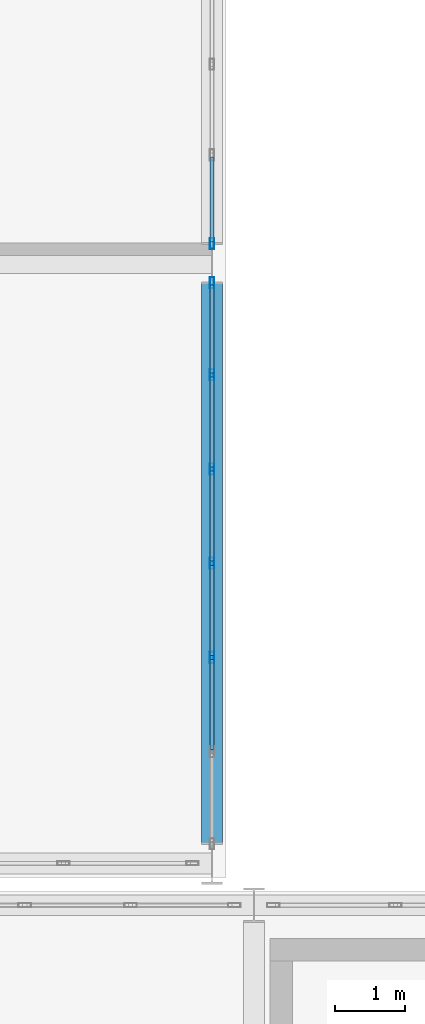
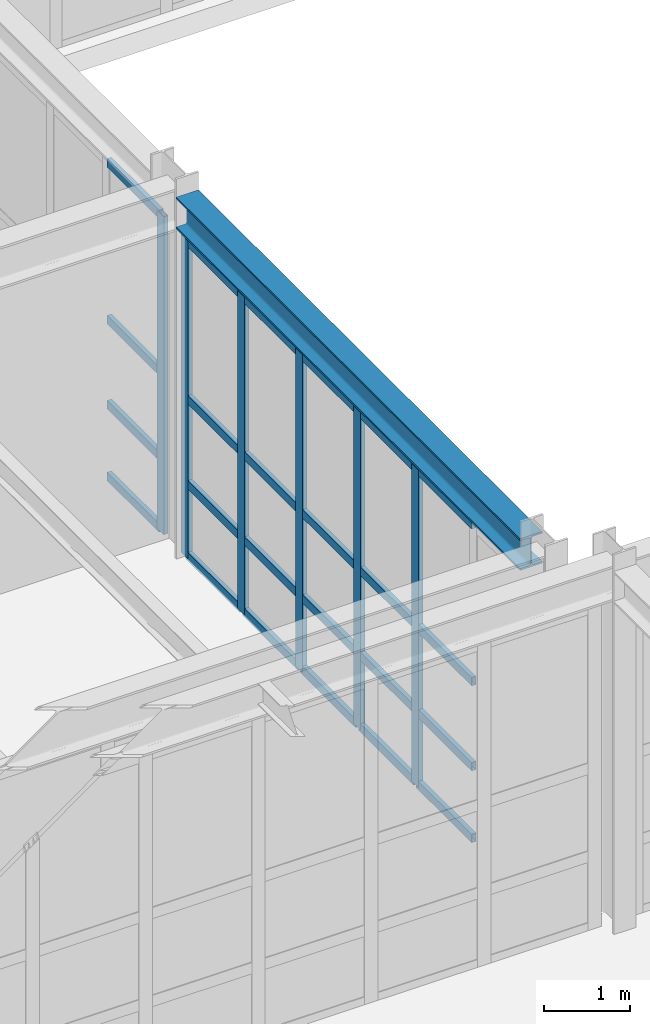
# One storey, part 100 of 210: 30 members, 1 beam, 2 elements without a shape of their own.
"""IFC4 building model written with IfcOpenShell, lengths in metres."""

from ifc_helpers import new_model, si_unit, direction, frame, origin, origin_2d, place, context, subcontext, project, spatial, hollow_rectangle, i_section, extrude, material, material_profile, profile_set, type_object, element, aggregate, save


model = new_model("IFC4")

# Units and contexts
model_context = context("Model", 3, precision=1e-05, world=origin(), true_north=direction((0.0, 1.0)))
body_context = subcontext(model_context, "Body", "Model", "MODEL_VIEW")
ifc_project = project(units=[si_unit("LENGTHUNIT", "METRE"), si_unit("AREAUNIT", "SQUARE_METRE"), si_unit("VOLUMEUNIT", "CUBIC_METRE"), si_unit("PLANEANGLEUNIT", "RADIAN"), si_unit("MASSUNIT", "GRAM", prefix="KILO")], contexts=[model_context])

# Site, building, storey
site_placement = place(None, origin())
site = spatial("IfcSite", under=ifc_project, at=site_placement, CompositionType="ELEMENT")
building_placement = place(site_placement, origin())
building = spatial("IfcBuilding", under=site, at=building_placement, Name="Kaldris Quays Convention Centre", CompositionType="ELEMENT")
storey_placement = place(building_placement, frame((0.0, 0.0, 6.0)))
storey = spatial("IfcBuildingStorey", under=building, at=storey_placement, Name="L01", CompositionType="ELEMENT", Elevation=6.0)

# Curtain wall, members
ifc_material_1 = material(Name="Anodized aluminium AW-6060 and triple glazing", Category="aluminium")
curtain_wall_type = type_object("IfcCurtainWallType", Name="UNITISED CURTAIN WALL CW04", PredefinedType="NOTDEFINED", material=ifc_material_1)
curtain_wall_1_placement = place(storey_placement, origin())
curtain_wall_1 = element("IfcCurtainWall", 1, at=curtain_wall_1_placement, inside=storey, type_object=curtain_wall_type, Name="L01 Unitised Curtain Wall CW04 138", PredefinedType="NOTDEFINED")
ifc_material_2 = material(Name="Anodized aluminium AW-6060", Category="aluminium")
ifc_material_profile_1 = material_profile(ifc_material_2, hollow_rectangle(XDim=0.06005859375, YDim=0.159912109375, WallThickness=0.00390625, at=origin_2d()), Name="RHS 160x60x4")
ifc_profile_set_1 = profile_set([ifc_material_profile_1], Name="Anodized aluminium AW-6060")
member_type_1 = type_object("IfcMemberType", Name="CURTAIN MULLION CWM1", PredefinedType="MULLION", material=ifc_profile_set_1)
member_1_placement = place(storey_placement, frame((164.0, 40.949951171875, 0.0), z_axis=(0.0, 0.0, 1.0), x_axis=(-1.0, 0.0, 0.0)))
member_1 = element("IfcMember", 2, at=member_1_placement, type_object=member_type_1, Name="CW04 mullion 3", PredefinedType="MULLION", context=body_context, shape_type="SweptSolid", body=[
    extrude(hollow_rectangle(XDim=0.06005859375, YDim=0.159912109375, WallThickness=0.00390625, at=origin_2d()), origin(), (0.0, 0.0, 1.0), 4.51806640625),
])
member_2_placement = place(storey_placement, frame((164.0, 42.300048828125, 0.0), z_axis=(0.0, 0.0, 1.0), x_axis=(-1.0, 0.0, 0.0)))
member_2 = element("IfcMember", 3, at=member_2_placement, type_object=member_type_1, Name="CW04 mullion 4", PredefinedType="MULLION", context=body_context, shape_type="SweptSolid", body=[
    extrude(hollow_rectangle(XDim=0.06005859375, YDim=0.159912109375, WallThickness=0.00390625, at=origin_2d()), origin(), (0.0, 0.0, 1.0), 4.51806640625),
])
member_3_placement = place(storey_placement, frame((164.0, 43.64990234375, 0.0), z_axis=(0.0, 0.0, 1.0), x_axis=(-1.0, 0.0, 0.0)))
member_3 = element("IfcMember", 4, at=member_3_placement, type_object=member_type_1, Name="CW04 mullion 5", PredefinedType="MULLION", context=body_context, shape_type="SweptSolid", body=[
    extrude(hollow_rectangle(XDim=0.06005859375, YDim=0.159912109375, WallThickness=0.00390625, at=origin_2d()), origin(), (0.0, 0.0, 1.0), 4.51806640625),
])
member_4_placement = place(storey_placement, frame((164.0, 45.0, 0.0), z_axis=(0.0, 0.0, 1.0), x_axis=(-1.0, 0.0, 0.0)))
member_4 = element("IfcMember", 5, at=member_4_placement, type_object=member_type_1, Name="CW04 mullion 6", PredefinedType="MULLION", context=body_context, shape_type="SweptSolid", body=[
    extrude(hollow_rectangle(XDim=0.06005859375, YDim=0.159912109375, WallThickness=0.00390625, at=origin_2d()), origin(), (0.0, 0.0, 1.0), 4.51806640625),
])
member_5_placement = place(storey_placement, frame((164.0, 46.320068359375, 0.0), z_axis=(0.0, 0.0, 1.0), x_axis=(-1.0, 0.0, 0.0)))
member_5 = element("IfcMember", 6, at=member_5_placement, type_object=member_type_1, Name="CW04 mullion 7", PredefinedType="MULLION", context=body_context, shape_type="SweptSolid", body=[
    extrude(hollow_rectangle(XDim=0.06005859375, YDim=0.159912109375, WallThickness=0.00390625, at=origin_2d()), origin(), (0.0, 0.0, 1.0), 4.51806640625),
])

# Curtain wall, member
curtain_wall_2_placement = place(storey_placement, origin())
curtain_wall_2 = element("IfcCurtainWall", 7, at=curtain_wall_2_placement, inside=storey, type_object=curtain_wall_type, Name="L01 Unitised Curtain Wall CW04 139", PredefinedType="NOTDEFINED")
member_6_placement = place(storey_placement, frame((164.0, 46.8798828125, 0.0), z_axis=(0.0, 0.0, 1.0), x_axis=(-1.0, 0.0, 0.0)))
member_6 = element("IfcMember", 8, at=member_6_placement, type_object=member_type_1, Name="CW04 mullion 1", PredefinedType="MULLION", context=body_context, shape_type="SweptSolid", body=[
    extrude(hollow_rectangle(XDim=0.06005859375, YDim=0.159912109375, WallThickness=0.00390625, at=origin_2d()), origin(), (0.0, 0.0, 1.0), 4.51806640625),
])

# Member
ifc_material_profile_2 = material_profile(ifc_material_2, hollow_rectangle(XDim=0.06005859375, YDim=0.1201171875, WallThickness=0.00390625, at=origin_2d()), Name="RHS 120x60x4")
ifc_profile_set_2 = profile_set([ifc_material_profile_2], Name="Anodized aluminium AW-6060")
member_type_2 = type_object("IfcMemberType", Name="CURTAIN TRANSOM CWT1", PredefinedType="USERDEFINED", material=ifc_profile_set_2)
member_7_placement = place(storey_placement, frame((164.0, 39.6298828125, 0.030029296875), z_axis=(0.0, 1.0, 0.0), x_axis=(-1.0, 0.0, 0.0)))
member_7 = element("IfcMember", 9, at=member_7_placement, type_object=member_type_2, Name="CW04 transom 2.1", ObjectType="TRANSOM", PredefinedType="USERDEFINED", context=body_context, shape_type="SweptSolid", body=[
    extrude(hollow_rectangle(XDim=0.06005859375, YDim=0.1201171875, WallThickness=0.00390625, at=origin_2d()), origin(), (0.0, 0.0, 1.0), 1.2900390625),
])

member_8_placement = place(storey_placement, frame((164.0, 39.6298828125, 1.050048828125), z_axis=(0.0, 1.0, 0.0), x_axis=(-1.0, 0.0, 0.0)))
member_8 = element("IfcMember", 10, at=member_8_placement, type_object=member_type_2, Name="CW04 transom 2.2", ObjectType="TRANSOM", PredefinedType="USERDEFINED", context=body_context, shape_type="SweptSolid", body=[
    extrude(hollow_rectangle(XDim=0.06005859375, YDim=0.1201171875, WallThickness=0.00390625, at=origin_2d()), origin(), (0.0, 0.0, 1.0), 1.2900390625),
])

member_9_placement = place(storey_placement, frame((164.0, 39.6298828125, 2.259033203125), z_axis=(0.0, 1.0, 0.0), x_axis=(-1.0, 0.0, 0.0)))
member_9 = element("IfcMember", 11, at=member_9_placement, type_object=member_type_2, Name="CW04 transom 2.3", ObjectType="TRANSOM", PredefinedType="USERDEFINED", context=body_context, shape_type="SweptSolid", body=[
    extrude(hollow_rectangle(XDim=0.06005859375, YDim=0.1201171875, WallThickness=0.00390625, at=origin_2d()), origin(), (0.0, 0.0, 1.0), 1.2900390625),
])

member_10_placement = place(storey_placement, frame((164.0, 39.6298828125, 4.488037109375), z_axis=(0.0, 1.0, 0.0), x_axis=(-1.0, 0.0, 0.0)))
member_10 = element("IfcMember", 12, at=member_10_placement, type_object=member_type_2, Name="CW04 transom 2.4", ObjectType="TRANSOM", PredefinedType="USERDEFINED", context=body_context, shape_type="SweptSolid", body=[
    extrude(hollow_rectangle(XDim=0.06005859375, YDim=0.1201171875, WallThickness=0.00390625, at=origin_2d()), origin(), (0.0, 0.0, 1.0), 1.2900390625),
])

member_11_placement = place(storey_placement, frame((164.0, 40.97998046875, 0.030029296875), z_axis=(0.0, 1.0, 0.0), x_axis=(-1.0, 0.0, 0.0)))
member_11 = element("IfcMember", 13, at=member_11_placement, type_object=member_type_2, Name="CW04 transom 3.1", ObjectType="TRANSOM", PredefinedType="USERDEFINED", context=body_context, shape_type="SweptSolid", body=[
    extrude(hollow_rectangle(XDim=0.06005859375, YDim=0.1201171875, WallThickness=0.00390625, at=origin_2d()), origin(), (0.0, 0.0, 1.0), 1.2900390625),
])

member_12_placement = place(storey_placement, frame((164.0, 40.97998046875, 1.050048828125), z_axis=(0.0, 1.0, 0.0), x_axis=(-1.0, 0.0, 0.0)))
member_12 = element("IfcMember", 14, at=member_12_placement, type_object=member_type_2, Name="CW04 transom 3.2", ObjectType="TRANSOM", PredefinedType="USERDEFINED", context=body_context, shape_type="SweptSolid", body=[
    extrude(hollow_rectangle(XDim=0.06005859375, YDim=0.1201171875, WallThickness=0.00390625, at=origin_2d()), origin(), (0.0, 0.0, 1.0), 1.2900390625),
])

member_13_placement = place(storey_placement, frame((164.0, 40.97998046875, 2.259033203125), z_axis=(0.0, 1.0, 0.0), x_axis=(-1.0, 0.0, 0.0)))
member_13 = element("IfcMember", 15, at=member_13_placement, type_object=member_type_2, Name="CW04 transom 3.3", ObjectType="TRANSOM", PredefinedType="USERDEFINED", context=body_context, shape_type="SweptSolid", body=[
    extrude(hollow_rectangle(XDim=0.06005859375, YDim=0.1201171875, WallThickness=0.00390625, at=origin_2d()), origin(), (0.0, 0.0, 1.0), 1.2900390625),
])

member_14_placement = place(storey_placement, frame((164.0, 40.97998046875, 4.488037109375), z_axis=(0.0, 1.0, 0.0), x_axis=(-1.0, 0.0, 0.0)))
member_14 = element("IfcMember", 16, at=member_14_placement, type_object=member_type_2, Name="CW04 transom 3.4", ObjectType="TRANSOM", PredefinedType="USERDEFINED", context=body_context, shape_type="SweptSolid", body=[
    extrude(hollow_rectangle(XDim=0.06005859375, YDim=0.1201171875, WallThickness=0.00390625, at=origin_2d()), origin(), (0.0, 0.0, 1.0), 1.2900390625),
])

member_15_placement = place(storey_placement, frame((164.0, 42.330078125, 0.030029296875), z_axis=(0.0, 1.0, 0.0), x_axis=(-1.0, 0.0, 0.0)))
member_15 = element("IfcMember", 17, at=member_15_placement, type_object=member_type_2, Name="CW04 transom 4.1", ObjectType="TRANSOM", PredefinedType="USERDEFINED", context=body_context, shape_type="SweptSolid", body=[
    extrude(hollow_rectangle(XDim=0.06005859375, YDim=0.1201171875, WallThickness=0.00390625, at=origin_2d()), origin(), (0.0, 0.0, 1.0), 1.2900390625),
])

member_16_placement = place(storey_placement, frame((164.0, 42.330078125, 1.050048828125), z_axis=(0.0, 1.0, 0.0), x_axis=(-1.0, 0.0, 0.0)))
member_16 = element("IfcMember", 18, at=member_16_placement, type_object=member_type_2, Name="CW04 transom 4.2", ObjectType="TRANSOM", PredefinedType="USERDEFINED", context=body_context, shape_type="SweptSolid", body=[
    extrude(hollow_rectangle(XDim=0.06005859375, YDim=0.1201171875, WallThickness=0.00390625, at=origin_2d()), origin(), (0.0, 0.0, 1.0), 1.2900390625),
])

member_17_placement = place(storey_placement, frame((164.0, 42.330078125, 2.259033203125), z_axis=(0.0, 1.0, 0.0), x_axis=(-1.0, 0.0, 0.0)))
member_17 = element("IfcMember", 19, at=member_17_placement, type_object=member_type_2, Name="CW04 transom 4.3", ObjectType="TRANSOM", PredefinedType="USERDEFINED", context=body_context, shape_type="SweptSolid", body=[
    extrude(hollow_rectangle(XDim=0.06005859375, YDim=0.1201171875, WallThickness=0.00390625, at=origin_2d()), origin(), (0.0, 0.0, 1.0), 1.2900390625),
])

member_18_placement = place(storey_placement, frame((164.0, 42.330078125, 4.488037109375), z_axis=(0.0, 1.0, 0.0), x_axis=(-1.0, 0.0, 0.0)))
member_18 = element("IfcMember", 20, at=member_18_placement, type_object=member_type_2, Name="CW04 transom 4.4", ObjectType="TRANSOM", PredefinedType="USERDEFINED", context=body_context, shape_type="SweptSolid", body=[
    extrude(hollow_rectangle(XDim=0.06005859375, YDim=0.1201171875, WallThickness=0.00390625, at=origin_2d()), origin(), (0.0, 0.0, 1.0), 1.2900390625),
])

member_19_placement = place(storey_placement, frame((164.0, 43.679931640625, 0.030029296875), z_axis=(0.0, 1.0, 0.0), x_axis=(-1.0, 0.0, 0.0)))
member_19 = element("IfcMember", 21, at=member_19_placement, type_object=member_type_2, Name="CW04 transom 5.1", ObjectType="TRANSOM", PredefinedType="USERDEFINED", context=body_context, shape_type="SweptSolid", body=[
    extrude(hollow_rectangle(XDim=0.06005859375, YDim=0.1201171875, WallThickness=0.00390625, at=origin_2d()), origin(), (0.0, 0.0, 1.0), 1.2900390625),
])

member_20_placement = place(storey_placement, frame((164.0, 43.679931640625, 1.050048828125), z_axis=(0.0, 1.0, 0.0), x_axis=(-1.0, 0.0, 0.0)))
member_20 = element("IfcMember", 22, at=member_20_placement, type_object=member_type_2, Name="CW04 transom 5.2", ObjectType="TRANSOM", PredefinedType="USERDEFINED", context=body_context, shape_type="SweptSolid", body=[
    extrude(hollow_rectangle(XDim=0.06005859375, YDim=0.1201171875, WallThickness=0.00390625, at=origin_2d()), origin(), (0.0, 0.0, 1.0), 1.2900390625),
])

member_21_placement = place(storey_placement, frame((164.0, 43.679931640625, 2.259033203125), z_axis=(0.0, 1.0, 0.0), x_axis=(-1.0, 0.0, 0.0)))
member_21 = element("IfcMember", 23, at=member_21_placement, type_object=member_type_2, Name="CW04 transom 5.3", ObjectType="TRANSOM", PredefinedType="USERDEFINED", context=body_context, shape_type="SweptSolid", body=[
    extrude(hollow_rectangle(XDim=0.06005859375, YDim=0.1201171875, WallThickness=0.00390625, at=origin_2d()), origin(), (0.0, 0.0, 1.0), 1.2900390625),
])

member_22_placement = place(storey_placement, frame((164.0, 43.679931640625, 4.488037109375), z_axis=(0.0, 1.0, 0.0), x_axis=(-1.0, 0.0, 0.0)))
member_22 = element("IfcMember", 24, at=member_22_placement, type_object=member_type_2, Name="CW04 transom 5.4", ObjectType="TRANSOM", PredefinedType="USERDEFINED", context=body_context, shape_type="SweptSolid", body=[
    extrude(hollow_rectangle(XDim=0.06005859375, YDim=0.1201171875, WallThickness=0.00390625, at=origin_2d()), origin(), (0.0, 0.0, 1.0), 1.2900390625),
])

member_23_placement = place(storey_placement, frame((164.0, 45.030029296875, 0.030029296875), z_axis=(0.0, 1.0, 0.0), x_axis=(-1.0, 0.0, 0.0)))
member_23 = element("IfcMember", 25, at=member_23_placement, type_object=member_type_2, Name="CW04 transom 6.1", ObjectType="TRANSOM", PredefinedType="USERDEFINED", context=body_context, shape_type="SweptSolid", body=[
    extrude(hollow_rectangle(XDim=0.06005859375, YDim=0.1201171875, WallThickness=0.00390625, at=origin_2d()), origin(), (0.0, 0.0, 1.0), 1.260009765625),
])

member_24_placement = place(storey_placement, frame((164.0, 45.030029296875, 1.050048828125), z_axis=(0.0, 1.0, 0.0), x_axis=(-1.0, 0.0, 0.0)))
member_24 = element("IfcMember", 26, at=member_24_placement, type_object=member_type_2, Name="CW04 transom 6.2", ObjectType="TRANSOM", PredefinedType="USERDEFINED", context=body_context, shape_type="SweptSolid", body=[
    extrude(hollow_rectangle(XDim=0.06005859375, YDim=0.1201171875, WallThickness=0.00390625, at=origin_2d()), origin(), (0.0, 0.0, 1.0), 1.260009765625),
])

member_25_placement = place(storey_placement, frame((164.0, 45.030029296875, 2.259033203125), z_axis=(0.0, 1.0, 0.0), x_axis=(-1.0, 0.0, 0.0)))
member_25 = element("IfcMember", 27, at=member_25_placement, type_object=member_type_2, Name="CW04 transom 6.3", ObjectType="TRANSOM", PredefinedType="USERDEFINED", context=body_context, shape_type="SweptSolid", body=[
    extrude(hollow_rectangle(XDim=0.06005859375, YDim=0.1201171875, WallThickness=0.00390625, at=origin_2d()), origin(), (0.0, 0.0, 1.0), 1.260009765625),
])

member_26_placement = place(storey_placement, frame((164.0, 45.030029296875, 4.488037109375), z_axis=(0.0, 1.0, 0.0), x_axis=(-1.0, 0.0, 0.0)))
member_26 = element("IfcMember", 28, at=member_26_placement, type_object=member_type_2, Name="CW04 transom 6.4", ObjectType="TRANSOM", PredefinedType="USERDEFINED", context=body_context, shape_type="SweptSolid", body=[
    extrude(hollow_rectangle(XDim=0.06005859375, YDim=0.1201171875, WallThickness=0.00390625, at=origin_2d()), origin(), (0.0, 0.0, 1.0), 1.260009765625),
])

aggregate(curtain_wall_1, [member_1, member_2, member_3, member_4, member_5, member_7, member_8, member_9, member_10, member_11, member_12, member_13, member_14, member_15, member_16, member_17, member_18, member_19, member_20, member_21, member_22, member_23, member_24, member_25, member_26])

member_27_placement = place(storey_placement, frame((164.0, 46.909912109375, 0.030029296875), z_axis=(0.0, 1.0, 0.0), x_axis=(-1.0, 0.0, 0.0)))
member_27 = element("IfcMember", 29, at=member_27_placement, type_object=member_type_2, Name="CW04 transom 1.1", ObjectType="TRANSOM", PredefinedType="USERDEFINED", context=body_context, shape_type="SweptSolid", body=[
    extrude(hollow_rectangle(XDim=0.06005859375, YDim=0.1201171875, WallThickness=0.00390625, at=origin_2d()), origin(), (0.0, 0.0, 1.0), 1.210205078125),
])

member_28_placement = place(storey_placement, frame((164.0, 46.909912109375, 1.050048828125), z_axis=(0.0, 1.0, 0.0), x_axis=(-1.0, 0.0, 0.0)))
member_28 = element("IfcMember", 30, at=member_28_placement, type_object=member_type_2, Name="CW04 transom 1.2", ObjectType="TRANSOM", PredefinedType="USERDEFINED", context=body_context, shape_type="SweptSolid", body=[
    extrude(hollow_rectangle(XDim=0.06005859375, YDim=0.1201171875, WallThickness=0.00390625, at=origin_2d()), origin(), (0.0, 0.0, 1.0), 1.210205078125),
])

member_29_placement = place(storey_placement, frame((164.0, 46.909912109375, 2.259033203125), z_axis=(0.0, 1.0, 0.0), x_axis=(-1.0, 0.0, 0.0)))
member_29 = element("IfcMember", 31, at=member_29_placement, type_object=member_type_2, Name="CW04 transom 1.3", ObjectType="TRANSOM", PredefinedType="USERDEFINED", context=body_context, shape_type="SweptSolid", body=[
    extrude(hollow_rectangle(XDim=0.06005859375, YDim=0.1201171875, WallThickness=0.00390625, at=origin_2d()), origin(), (0.0, 0.0, 1.0), 1.210205078125),
])

member_30_placement = place(storey_placement, frame((164.0, 46.909912109375, 4.488037109375), z_axis=(0.0, 1.0, 0.0), x_axis=(-1.0, 0.0, 0.0)))
member_30 = element("IfcMember", 32, at=member_30_placement, type_object=member_type_2, Name="CW04 transom 1.4", ObjectType="TRANSOM", PredefinedType="USERDEFINED", context=body_context, shape_type="SweptSolid", body=[
    extrude(hollow_rectangle(XDim=0.06005859375, YDim=0.1201171875, WallThickness=0.00390625, at=origin_2d()), origin(), (0.0, 0.0, 1.0), 1.210205078125),
])

aggregate(curtain_wall_2, [member_6, member_27, member_28, member_29, member_30])

# Beam
ifc_material_3 = material(Name="Steel S355J2", Category="steel")
ifc_material_profile_3 = material_profile(ifc_material_3, i_section(OverallWidth=0.300048828125, OverallDepth=0.449951171875, WebThickness=0.013916015625, FlangeThickness=0.02587890625, FilletRadius=0.027099609375, at=origin_2d()), Name="HEB 450")
ifc_profile_set_3 = profile_set([ifc_material_profile_3], Name="Steel S355J2")
beam_type = type_object("IfcBeamType", Name="STRUCTURAL BEAM BM07", PredefinedType="BEAM", material=ifc_profile_set_3)
beam_placement = place(storey_placement, frame((164.0, 38.2939453125, 4.91796875), z_axis=(0.0, 1.0, 0.0), x_axis=(-1.0, 0.0, 0.0)))
element("IfcBeam", 33, at=beam_placement, inside=storey, type_object=beam_type, Name="L01 Girder BM07 90", PredefinedType="BEAM", context=body_context, shape_type="SweptSolid", body=[
    extrude(i_section(OverallWidth=0.300048828125, OverallDepth=0.449951171875, WebThickness=0.013916015625, FlangeThickness=0.02587890625, FilletRadius=0.027099609375, at=origin_2d()), origin(), (0.0, 0.0, 1.0), 8.011962890625),
])

save(model, "model.ifc")
